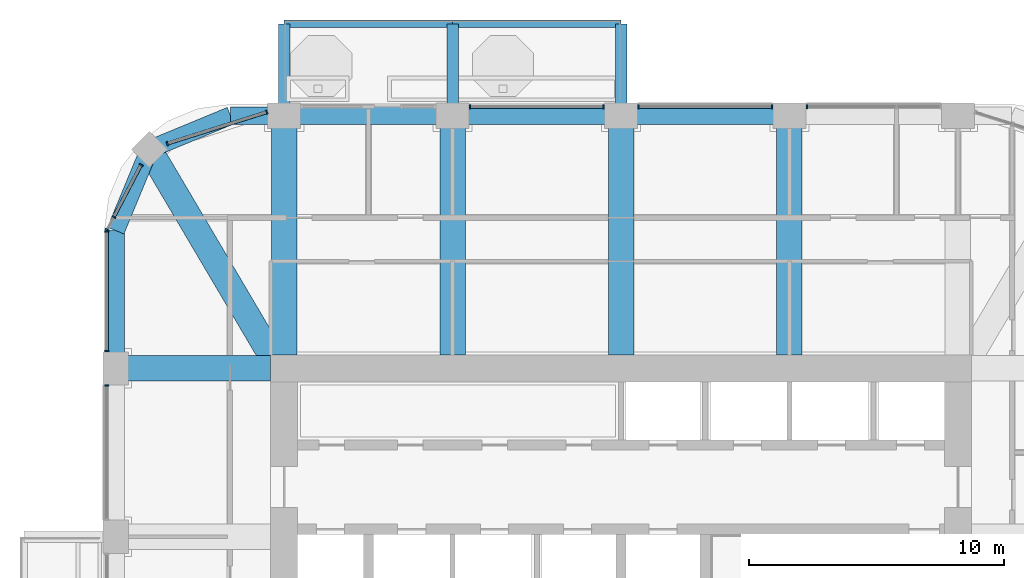
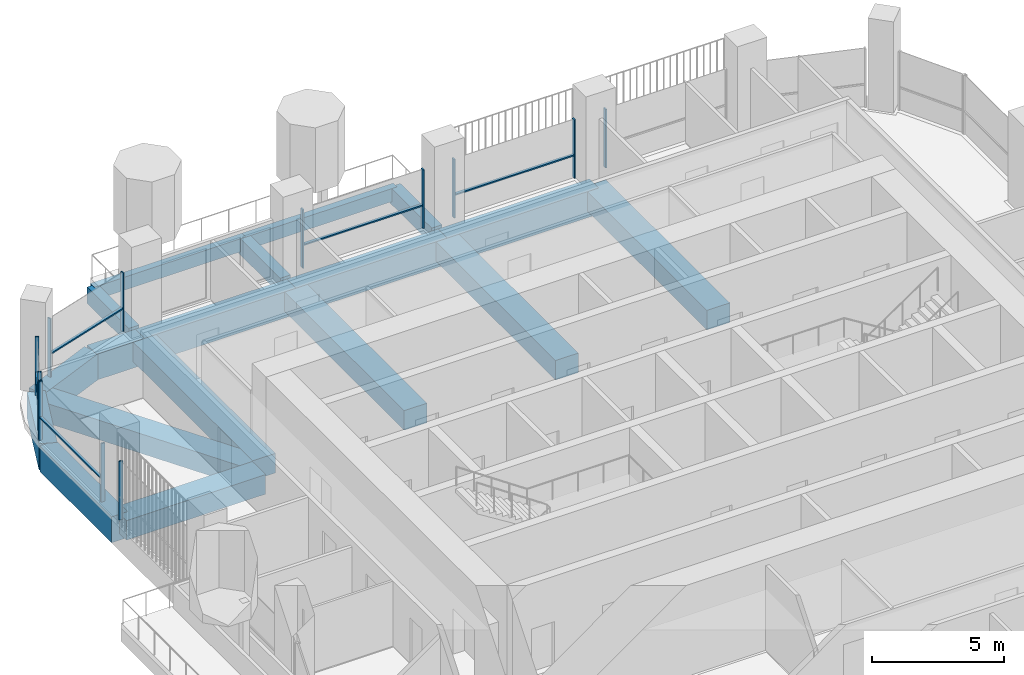
# One storey, part 5 of 20: 18 beams, 18 members, 7 elements without a shape of their own.
"""IFC4 building model written with IfcOpenShell, lengths in metres."""

from ifc_helpers import new_model, si_unit, direction, frame, origin, origin_2d, place, context, subcontext, project, spatial, rectangle, extrude, material, material_profile, profile_set, type_object, element, aggregate, save


model = new_model("IFC4")

# Units and contexts
model_context = context("Model", 3, precision=1e-05, world=origin(), true_north=direction((0.0, 1.0)))
body_context = subcontext(model_context, "Body", "Model", "MODEL_VIEW")
ifc_project = project(units=[si_unit("LENGTHUNIT", "METRE"), si_unit("AREAUNIT", "SQUARE_METRE"), si_unit("VOLUMEUNIT", "CUBIC_METRE"), si_unit("PLANEANGLEUNIT", "RADIAN"), si_unit("MASSUNIT", "GRAM", prefix="KILO")], contexts=[model_context])

# Site, building, storey
site_placement = place(None, origin())
site = spatial("IfcSite", under=ifc_project, at=site_placement, CompositionType="ELEMENT")
building_placement = place(site_placement, origin())
building = spatial("IfcBuilding", under=site, at=building_placement, Name="Cobogo Forest Laboratory Tower", CompositionType="ELEMENT")
storey_placement = place(building_placement, frame((0.0, 0.0, 254.39990234375)))
storey = spatial("IfcBuildingStorey", under=building, at=storey_placement, Name="L58", CompositionType="ELEMENT", Elevation=254.39990234375)

# Beams
ifc_material_1 = material(Name="Concrete HA-40 (C40/50)", Category="concrete")
ifc_material_profile_1 = material_profile(ifc_material_1, rectangle(XDim=0.449951171875, YDim=0.75, at=origin_2d()), Name="RC 450x750")
ifc_profile_set_1 = profile_set([ifc_material_profile_1], Name="Concrete HA-40 (C40/50)")
beam_type_1 = type_object("IfcBeamType", Name="Balcony cantilever beam 450x750", PredefinedType="BEAM", material=ifc_profile_set_1)
for number, where, z_axis, x_axis, name in (
    (1, (13.199951171875, 43.35009765625, -0.625), (0.0, 1.0, 0.0), (-1.0, 0.0, 0.0), "CB1 BAL-N1-C1 L58"),
    (2, (19.800048828125, 43.35009765625, -0.625), (0.0, 1.0, 0.0), (-1.0, 0.0, 0.0), "CB1 BAL-N1-C2 L58"),
    (3, (26.39990234375, 43.35009765625, -0.625), (0.0, 1.0, 0.0), (-1.0, 0.0, 0.0), "CB1 BAL-N1-C3 L58"),
):
    element("IfcBeam", number, at=place(storey_placement, frame(where, z_axis=z_axis, x_axis=x_axis)), inside=storey, type_object=beam_type_1, Name=name, PredefinedType="BEAM", context=body_context, shape_type="SweptSolid", body=[
        extrude(rectangle(XDim=0.449951171875, YDim=0.75, at=origin_2d()), origin(), (0.0, 0.0, 1.0), 3.14990234375),
    ])
ifc_material_profile_2 = material_profile(ifc_material_1, rectangle(XDim=0.300048828125, YDim=0.60009765625, at=origin_2d()), Name="RC 300x600")
ifc_profile_set_2 = profile_set([ifc_material_profile_2], Name="Concrete HA-40 (C40/50)")
beam_type_2 = type_object("IfcBeamType", Name="Balcony edge beam 300x600", PredefinedType="BEAM", material=ifc_profile_set_2)
beam_1_placement = place(storey_placement, frame((13.199951171875, 46.5, -0.5498046875), z_axis=(1.0, 0.0, 0.0), x_axis=(0.0, 1.0, 0.0)))
element("IfcBeam", 4, at=beam_1_placement, inside=storey, type_object=beam_type_2, Name="BB1 BAL-N1-T1 L58", PredefinedType="BEAM", context=body_context, shape_type="SweptSolid", body=[
    extrude(rectangle(XDim=0.300048828125, YDim=0.60009765625, at=origin_2d()), origin(), (0.0, 0.0, 1.0), 6.60009765625),
])
beam_2_placement = place(storey_placement, frame((19.800048828125, 46.5, -0.5498046875), z_axis=(1.0, 0.0, 0.0), x_axis=(0.0, 1.0, 0.0)))
element("IfcBeam", 5, at=beam_2_placement, inside=storey, type_object=beam_type_2, Name="BB1 BAL-N1-T2 L58", PredefinedType="BEAM", context=body_context, shape_type="SweptSolid", body=[
    extrude(rectangle(XDim=0.300048828125, YDim=0.60009765625, at=origin_2d()), origin(), (0.0, 0.0, 1.0), 6.599853515625),
])

# Curtain wall, member
ifc_material_2 = material(Name="Aluminium curtain wall", Category="aluminium")
curtain_wall_type = type_object("IfcCurtainWallType", Name="CW-2 unitised curtain wall, solar control glazing, laboratory floors zones C and D", PredefinedType="USERDEFINED", material=ifc_material_2)
curtain_wall_1_placement = place(storey_placement, origin())
curtain_wall_1 = element("IfcCurtainWall", 6, at=curtain_wall_1_placement, inside=storey, type_object=curtain_wall_type, Name="Curtain wall 14 L58", ObjectType="UNITISED CURTAIN WALL", PredefinedType="USERDEFINED")
ifc_material_3 = material(Name="Aluminium mullion", Category="aluminium")
ifc_material_profile_3 = material_profile(ifc_material_3, rectangle(XDim=0.06005859375, YDim=0.159912109375, at=origin_2d()), Name="AL 60x160")
ifc_profile_set_3 = profile_set([ifc_material_profile_3], Name="Aluminium mullion")
member_type_1 = type_object("IfcMemberType", Name="MU-1 aluminium mullion 60x160", PredefinedType="MULLION", material=ifc_profile_set_3)
member_1_placement = place(storey_placement, frame((33.679931640625, 43.25, 0.0), z_axis=(0.0, 0.0, 1.0), x_axis=(-1.0, 0.0, 0.0)))
member_1 = element("IfcMember", 7, at=member_1_placement, type_object=member_type_1, Name="CW-2 mullion 3", PredefinedType="MULLION", context=body_context, shape_type="SweptSolid", body=[
    extrude(rectangle(XDim=0.06005859375, YDim=0.159912109375, at=origin_2d()), origin(), (0.0, 0.0, 1.0), 2.7001953125),
])
aggregate(curtain_wall_1, [member_1])

# Curtain wall, members
curtain_wall_2_placement = place(storey_placement, origin())
curtain_wall_2 = element("IfcCurtainWall", 8, at=curtain_wall_2_placement, inside=storey, type_object=curtain_wall_type, Name="Curtain wall 15 L58", ObjectType="UNITISED CURTAIN WALL", PredefinedType="USERDEFINED")
member_2_placement = place(storey_placement, frame((32.320068359375, 43.25, 0.0), z_axis=(0.0, 0.0, 1.0), x_axis=(-1.0, 0.0, 0.0)))
member_2 = element("IfcMember", 9, at=member_2_placement, type_object=member_type_1, Name="CW-2 mullion 1", PredefinedType="MULLION", context=body_context, shape_type="SweptSolid", body=[
    extrude(rectangle(XDim=0.06005859375, YDim=0.159912109375, at=origin_2d()), origin(), (0.0, 0.0, 1.0), 2.7001953125),
])
member_3_placement = place(storey_placement, frame((27.080078125, 43.25, 0.0), z_axis=(0.0, 0.0, 1.0), x_axis=(-1.0, 0.0, 0.0)))
member_3 = element("IfcMember", 10, at=member_3_placement, type_object=member_type_1, Name="CW-2 mullion 2", PredefinedType="MULLION", context=body_context, shape_type="SweptSolid", body=[
    extrude(rectangle(XDim=0.06005859375, YDim=0.159912109375, at=origin_2d()), origin(), (0.0, 0.0, 1.0), 2.7001953125),
])

curtain_wall_3_placement = place(storey_placement, origin())
curtain_wall_3 = element("IfcCurtainWall", 11, at=curtain_wall_3_placement, inside=storey, type_object=curtain_wall_type, Name="Curtain wall 16 L58", ObjectType="UNITISED CURTAIN WALL", PredefinedType="USERDEFINED")
member_4_placement = place(storey_placement, frame((25.719970703125, 43.25, 0.0), z_axis=(0.0, 0.0, 1.0), x_axis=(-1.0, 0.0, 0.0)))
member_4 = element("IfcMember", 12, at=member_4_placement, type_object=member_type_1, Name="CW-2 mullion 1", PredefinedType="MULLION", context=body_context, shape_type="SweptSolid", body=[
    extrude(rectangle(XDim=0.06005859375, YDim=0.159912109375, at=origin_2d()), origin(), (0.0, 0.0, 1.0), 2.7001953125),
])
member_5_placement = place(storey_placement, frame((20.47998046875, 43.25, 0.0), z_axis=(0.0, 0.0, 1.0), x_axis=(-1.0, 0.0, 0.0)))
member_5 = element("IfcMember", 13, at=member_5_placement, type_object=member_type_1, Name="CW-2 mullion 2", PredefinedType="MULLION", context=body_context, shape_type="SweptSolid", body=[
    extrude(rectangle(XDim=0.06005859375, YDim=0.159912109375, at=origin_2d()), origin(), (0.0, 0.0, 1.0), 2.7001953125),
])

curtain_wall_4_placement = place(storey_placement, origin())
curtain_wall_4 = element("IfcCurtainWall", 14, at=curtain_wall_4_placement, inside=storey, type_object=curtain_wall_type, Name="Curtain wall 18 L58", ObjectType="UNITISED CURTAIN WALL", PredefinedType="USERDEFINED")
member_6_placement = place(storey_placement, frame((12.521484375, 43.03564453125, 0.0), z_axis=(0.0, 0.0, 1.0), x_axis=(-0.953581386052, -0.301135418334, 0.0)))
member_6 = element("IfcMember", 15, at=member_6_placement, type_object=member_type_1, Name="CW-2 mullion 1", PredefinedType="MULLION", context=body_context, shape_type="SweptSolid", body=[
    extrude(rectangle(XDim=0.06005859375, YDim=0.159912109375, at=origin_2d()), origin(), (0.0, 0.0, 1.0), 2.7001953125),
])
member_7_placement = place(storey_placement, frame((8.623779296875, 41.804931640625, 0.0), z_axis=(0.0, 0.0, 1.0), x_axis=(-0.953581386052, -0.301135418334, 0.0)))
member_7 = element("IfcMember", 16, at=member_7_placement, type_object=member_type_1, Name="CW-2 mullion 2", PredefinedType="MULLION", context=body_context, shape_type="SweptSolid", body=[
    extrude(rectangle(XDim=0.06005859375, YDim=0.159912109375, at=origin_2d()), origin(), (0.0, 0.0, 1.0), 2.7001953125),
])

curtain_wall_5_placement = place(storey_placement, origin())
curtain_wall_5 = element("IfcCurtainWall", 17, at=curtain_wall_5_placement, inside=storey, type_object=curtain_wall_type, Name="Curtain wall 19 L58", ObjectType="UNITISED CURTAIN WALL", PredefinedType="USERDEFINED")
member_8_placement = place(storey_placement, frame((7.59765625, 40.970947265625, 0.0), z_axis=(0.0, 0.0, 1.0), x_axis=(-0.464283791352, -0.885686491422, 0.0)))
member_8 = element("IfcMember", 18, at=member_8_placement, type_object=member_type_1, Name="CW-2 mullion 1", PredefinedType="MULLION", context=body_context, shape_type="SweptSolid", body=[
    extrude(rectangle(XDim=0.06005859375, YDim=0.159912109375, at=origin_2d()), origin(), (0.0, 0.0, 1.0), 2.7001953125),
])
member_9_placement = place(storey_placement, frame((6.531494140625, 38.937255859375, 0.0), z_axis=(0.0, 0.0, 1.0), x_axis=(-0.464283791352, -0.885686491422, 0.0)))
member_9 = element("IfcMember", 19, at=member_9_placement, type_object=member_type_1, Name="CW-2 mullion 2", PredefinedType="MULLION", context=body_context, shape_type="SweptSolid", body=[
    extrude(rectangle(XDim=0.06005859375, YDim=0.159912109375, at=origin_2d()), origin(), (0.0, 0.0, 1.0), 2.7001953125),
])
member_10_placement = place(storey_placement, frame((6.263916015625, 38.426513671875, 0.0), z_axis=(0.0, 0.0, 1.0), x_axis=(-0.464283791352, -0.885686491422, 0.0)))
member_10 = element("IfcMember", 20, at=member_10_placement, type_object=member_type_1, Name="CW-2 mullion 3", PredefinedType="MULLION", context=body_context, shape_type="SweptSolid", body=[
    extrude(rectangle(XDim=0.06005859375, YDim=0.159912109375, at=origin_2d()), origin(), (0.0, 0.0, 1.0), 2.7001953125),
])

curtain_wall_6_placement = place(storey_placement, origin())
curtain_wall_6 = element("IfcCurtainWall", 21, at=curtain_wall_6_placement, inside=storey, type_object=curtain_wall_type, Name="Curtain wall 20 L58", ObjectType="UNITISED CURTAIN WALL", PredefinedType="USERDEFINED")
member_11_placement = place(storey_placement, frame((6.25, 38.3701171875, 0.0), z_axis=(0.0, 0.0, 1.0), x_axis=(0.0, -1.0, 0.0)))
member_11 = element("IfcMember", 22, at=member_11_placement, type_object=member_type_1, Name="CW-2 mullion 1", PredefinedType="MULLION", context=body_context, shape_type="SweptSolid", body=[
    extrude(rectangle(XDim=0.06005859375, YDim=0.159912109375, at=origin_2d()), origin(), (0.0, 0.0, 1.0), 2.7001953125),
])
member_12_placement = place(storey_placement, frame((6.25, 33.679931640625, 0.0), z_axis=(0.0, 0.0, 1.0), x_axis=(0.0, -1.0, 0.0)))
member_12 = element("IfcMember", 23, at=member_12_placement, type_object=member_type_1, Name="CW-2 mullion 2", PredefinedType="MULLION", context=body_context, shape_type="SweptSolid", body=[
    extrude(rectangle(XDim=0.06005859375, YDim=0.159912109375, at=origin_2d()), origin(), (0.0, 0.0, 1.0), 2.7001953125),
])

# Curtain wall, member
curtain_wall_7_placement = place(storey_placement, origin())
curtain_wall_7 = element("IfcCurtainWall", 24, at=curtain_wall_7_placement, inside=storey, type_object=curtain_wall_type, Name="Curtain wall 21 L58", ObjectType="UNITISED CURTAIN WALL", PredefinedType="USERDEFINED")
member_13_placement = place(storey_placement, frame((6.25, 32.320068359375, 0.0), z_axis=(0.0, 0.0, 1.0), x_axis=(0.0, -1.0, 0.0)))
member_13 = element("IfcMember", 25, at=member_13_placement, type_object=member_type_1, Name="CW-2 mullion 1", PredefinedType="MULLION", context=body_context, shape_type="SweptSolid", body=[
    extrude(rectangle(XDim=0.06005859375, YDim=0.159912109375, at=origin_2d()), origin(), (0.0, 0.0, 1.0), 2.7001953125),
])
aggregate(curtain_wall_7, [member_13])

# Beams
ifc_material_profile_4 = material_profile(ifc_material_1, rectangle(XDim=1.0, YDim=0.89990234375, at=origin_2d()), Name="RC 1000x900")
ifc_profile_set_4 = profile_set([ifc_material_profile_4], Name="Concrete HA-40 (C40/50)")
beam_type_3 = type_object("IfcBeamType", Name="Office floor wide beam 1000x900", PredefinedType="BEAM", material=ifc_profile_set_4)
for number, where, z_axis, x_axis, name in (
    (26, (13.199951171875, 33.52490234375, -0.75), (0.0, 1.0, 0.0), (-1.0, 0.0, 0.0), "RB2 R-3-N L58"),
    (27, (19.800048828125, 33.52490234375, -0.75), (0.0, 1.0, 0.0), (-1.0, 0.0, 0.0), "RB2 R-4-N L58"),
    (28, (26.39990234375, 33.52490234375, -0.75), (0.0, 1.0, 0.0), (-1.0, 0.0, 0.0), "RB2 R-5-N L58"),
    (29, (33.0, 33.52490234375, -0.75), (0.0, 1.0, 0.0), (-1.0, 0.0, 0.0), "RB2 R-6-N L58"),
):
    element("IfcBeam", number, at=place(storey_placement, frame(where, z_axis=z_axis, x_axis=x_axis)), inside=storey, type_object=beam_type_3, Name=name, PredefinedType="BEAM", context=body_context, shape_type="SweptSolid", body=[
        extrude(rectangle(XDim=1.0, YDim=0.89990234375, at=origin_2d()), origin(), (0.0, 0.0, 1.0), 9.375),
    ])
beam_3_placement = place(storey_placement, frame((12.675048828125, 33.0, -0.75), z_axis=(-1.0, 0.0, 0.0), x_axis=(0.0, -1.0, 0.0)))
element("IfcBeam", 30, at=beam_3_placement, inside=storey, type_object=beam_type_3, Name="RB2 R-F-W L58", PredefinedType="BEAM", context=body_context, shape_type="SweptSolid", body=[
    extrude(rectangle(XDim=1.0, YDim=0.89990234375, at=origin_2d()), origin(), (0.0, 0.0, 1.0), 6.074951171875),
])
beam_4_placement = place(storey_placement, frame((7.91796875, 41.58203125, -0.75), z_axis=(0.508416325908, -0.861111397875, 0.0), x_axis=(0.861111397875, 0.508416325908, 0.0)))
element("IfcBeam", 31, at=beam_4_placement, inside=storey, type_object=beam_type_3, Name="RB2 G-NW-D1 L58", PredefinedType="BEAM", context=body_context, shape_type="SweptSolid", body=[
    extrude(rectangle(XDim=1.0, YDim=0.89990234375, at=origin_2d()), origin(), (0.0, 0.0, 1.0), 9.356689453125),
])
ifc_material_profile_5 = material_profile(ifc_material_1, rectangle(XDim=0.699951171875, YDim=1.199951171875, at=origin_2d()), Name="RC 700x1200")
ifc_profile_set_5 = profile_set([ifc_material_profile_5], Name="Concrete HA-40 (C40/50)")
beam_type_4 = type_object("IfcBeamType", Name="Perimeter edge beam 700x1200", PredefinedType="BEAM", material=ifc_profile_set_5)
beam_5_placement = place(storey_placement, frame((13.199951171875, 42.89990234375, -0.89990234375), z_axis=(1.0, 0.0, 0.0), x_axis=(0.0, 1.0, 0.0)))
element("IfcBeam", 32, at=beam_5_placement, inside=storey, type_object=beam_type_4, Name="EB1 E-N1 L58", PredefinedType="BEAM", context=body_context, shape_type="SweptSolid", body=[
    extrude(rectangle(XDim=0.699951171875, YDim=1.199951171875, at=origin_2d()), origin(), (0.0, 0.0, 1.0), 6.60009765625),
])
beam_6_placement = place(storey_placement, frame((19.800048828125, 42.89990234375, -0.89990234375), z_axis=(1.0, 0.0, 0.0), x_axis=(0.0, 1.0, 0.0)))
element("IfcBeam", 33, at=beam_6_placement, inside=storey, type_object=beam_type_4, Name="EB1 E-N2 L58", PredefinedType="BEAM", context=body_context, shape_type="SweptSolid", body=[
    extrude(rectangle(XDim=0.699951171875, YDim=1.199951171875, at=origin_2d()), origin(), (0.0, 0.0, 1.0), 6.599853515625),
])
beam_7_placement = place(storey_placement, frame((26.39990234375, 42.89990234375, -0.89990234375), z_axis=(1.0, 0.0, 0.0), x_axis=(0.0, 1.0, 0.0)))
element("IfcBeam", 34, at=beam_7_placement, inside=storey, type_object=beam_type_4, Name="EB1 E-N3 L58", PredefinedType="BEAM", context=body_context, shape_type="SweptSolid", body=[
    extrude(rectangle(XDim=0.699951171875, YDim=1.199951171875, at=origin_2d()), origin(), (0.0, 0.0, 1.0), 6.60009765625),
])
beam_8_placement = place(storey_placement, frame((13.199951171875, 42.89990234375, -0.89990234375), z_axis=(-1.0, 0.0, 0.0), x_axis=(0.0, -1.0, 0.0)))
element("IfcBeam", 35, at=beam_8_placement, inside=storey, type_object=beam_type_4, Name="EB1 E-NWN1 L58", PredefinedType="BEAM", context=body_context, shape_type="SweptSolid", body=[
    extrude(rectangle(XDim=0.699951171875, YDim=1.199951171875, at=origin_2d()), origin(), (0.0, 0.0, 1.0), 2.099853515625),
])
beam_9_placement = place(storey_placement, frame((11.10009765625, 42.89990234375, -0.89990234375), z_axis=(-0.923901072997, -0.382631424892, 0.0), x_axis=(0.382631424892, -0.923901072997, 0.0)))
element("IfcBeam", 36, at=beam_9_placement, inside=storey, type_object=beam_type_4, Name="EB1 E-NWN2 L58", PredefinedType="BEAM", context=body_context, shape_type="SweptSolid", body=[
    extrude(rectangle(XDim=0.699951171875, YDim=1.199951171875, at=origin_2d()), origin(), (0.0, 0.0, 1.0), 3.4443359375),
])
beam_10_placement = place(storey_placement, frame((6.60009765625, 33.0, -0.89990234375), z_axis=(0.0, 1.0, 0.0), x_axis=(-1.0, 0.0, 0.0)))
element("IfcBeam", 37, at=beam_10_placement, inside=storey, type_object=beam_type_4, Name="EB1 E-NWW1 L58", PredefinedType="BEAM", context=body_context, shape_type="SweptSolid", body=[
    extrude(rectangle(XDim=0.699951171875, YDim=1.199951171875, at=origin_2d()), origin(), (0.0, 0.0, 1.0), 5.39990234375),
])
beam_11_placement = place(storey_placement, frame((6.60009765625, 38.39990234375, -0.89990234375), z_axis=(0.382631424892, 0.923901072997, 0.0), x_axis=(-0.923901072997, 0.382631424892, 0.0)))
element("IfcBeam", 38, at=beam_11_placement, inside=storey, type_object=beam_type_4, Name="EB1 E-NWW2 L58", PredefinedType="BEAM", context=body_context, shape_type="SweptSolid", body=[
    extrude(rectangle(XDim=0.699951171875, YDim=1.199951171875, at=origin_2d()), origin(), (0.0, 0.0, 1.0), 3.4443359375),
])

# Member
ifc_material_4 = material(Name="Aluminium transom", Category="aluminium")
ifc_material_profile_6 = material_profile(ifc_material_4, rectangle(XDim=0.1201171875, YDim=0.06005859375, at=origin_2d()), Name="AL 60x120")
ifc_profile_set_6 = profile_set([ifc_material_profile_6], Name="Aluminium transom")
member_type_2 = type_object("IfcMemberType", Name="TR-1 aluminium transom 60x120", PredefinedType="USERDEFINED", material=ifc_profile_set_6)
member_14_placement = place(storey_placement, frame((32.2900390625, 43.25, 1.050048828125), z_axis=(-1.0, 0.0, 0.0), x_axis=(0.0, -1.0, 0.0)))
member_14 = element("IfcMember", 39, at=member_14_placement, type_object=member_type_2, Name="CW-2 transom 1.1", ObjectType="TRANSOM", PredefinedType="USERDEFINED", context=body_context, shape_type="SweptSolid", body=[
    extrude(rectangle(XDim=0.1201171875, YDim=0.06005859375, at=origin_2d()), origin(), (0.0, 0.0, 1.0), 5.179931640625),
])

aggregate(curtain_wall_2, [member_2, member_3, member_14])

member_15_placement = place(storey_placement, frame((25.68994140625, 43.25, 1.050048828125), z_axis=(-1.0, 0.0, 0.0), x_axis=(0.0, -1.0, 0.0)))
member_15 = element("IfcMember", 40, at=member_15_placement, type_object=member_type_2, Name="CW-2 transom 1.1", ObjectType="TRANSOM", PredefinedType="USERDEFINED", context=body_context, shape_type="SweptSolid", body=[
    extrude(rectangle(XDim=0.1201171875, YDim=0.06005859375, at=origin_2d()), origin(), (0.0, 0.0, 1.0), 5.179931640625),
])

aggregate(curtain_wall_3, [member_4, member_5, member_15])

member_16_placement = place(storey_placement, frame((12.49267578125, 43.026611328125, 1.050048828125), z_axis=(-0.953589078362, -0.301111058628, 0.0), x_axis=(0.301111058628, -0.953589078362, 0.0)))
member_16 = element("IfcMember", 41, at=member_16_placement, type_object=member_type_2, Name="CW-2 transom 1.1", ObjectType="TRANSOM", PredefinedType="USERDEFINED", context=body_context, shape_type="SweptSolid", body=[
    extrude(rectangle(XDim=0.1201171875, YDim=0.06005859375, at=origin_2d()), origin(), (0.0, 0.0, 1.0), 4.02734375),
])

aggregate(curtain_wall_4, [member_6, member_7, member_16])

member_17_placement = place(storey_placement, frame((7.583740234375, 40.9443359375, 1.050048828125), z_axis=(-0.464292517379, -0.885681917116, 0.0), x_axis=(0.885681917116, -0.464292517379, 0.0)))
member_17 = element("IfcMember", 42, at=member_17_placement, type_object=member_type_2, Name="CW-2 transom 1.1", ObjectType="TRANSOM", PredefinedType="USERDEFINED", context=body_context, shape_type="SweptSolid", body=[
    extrude(rectangle(XDim=0.1201171875, YDim=0.06005859375, at=origin_2d()), origin(), (0.0, 0.0, 1.0), 2.236328125),
])

aggregate(curtain_wall_5, [member_8, member_9, member_10, member_17])

member_18_placement = place(storey_placement, frame((6.25, 38.340087890625, 1.050048828125), z_axis=(0.0, -1.0, 0.0), x_axis=(1.0, 0.0, 0.0)))
member_18 = element("IfcMember", 43, at=member_18_placement, type_object=member_type_2, Name="CW-2 transom 1.1", ObjectType="TRANSOM", PredefinedType="USERDEFINED", context=body_context, shape_type="SweptSolid", body=[
    extrude(rectangle(XDim=0.1201171875, YDim=0.06005859375, at=origin_2d()), origin(), (0.0, 0.0, 1.0), 4.630126953125),
])

aggregate(curtain_wall_6, [member_11, member_12, member_18])

save(model, "model.ifc")
